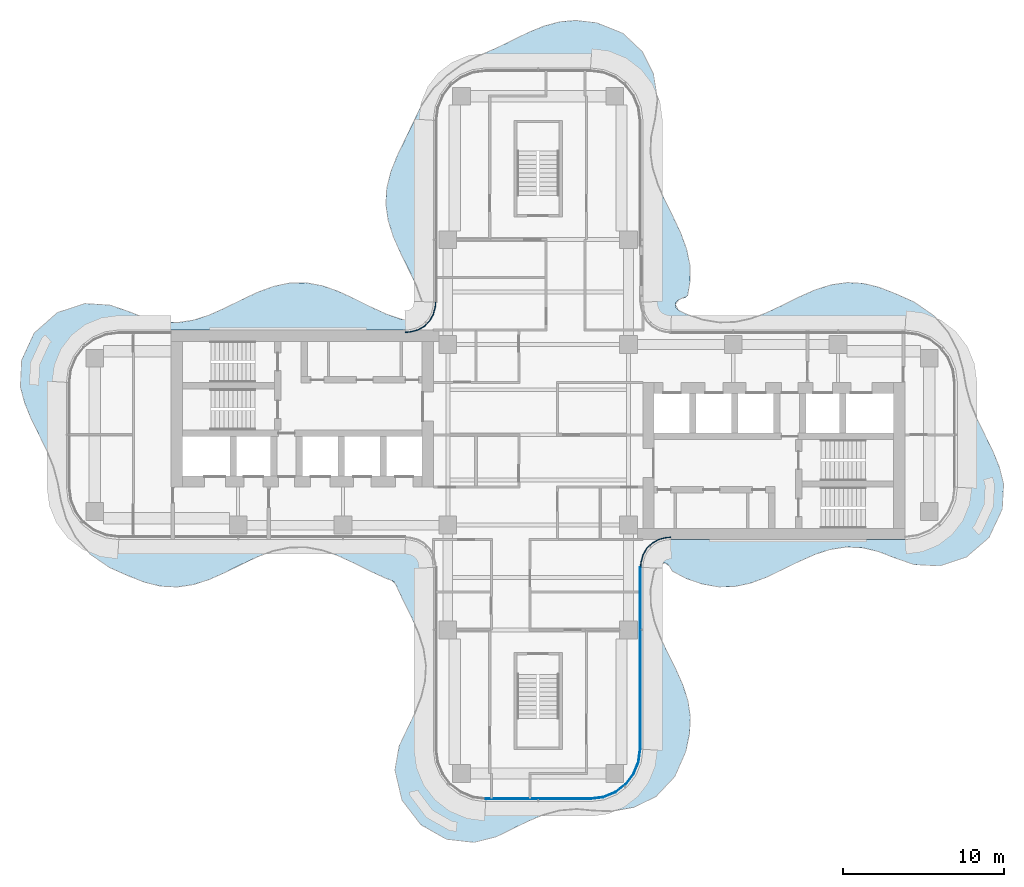
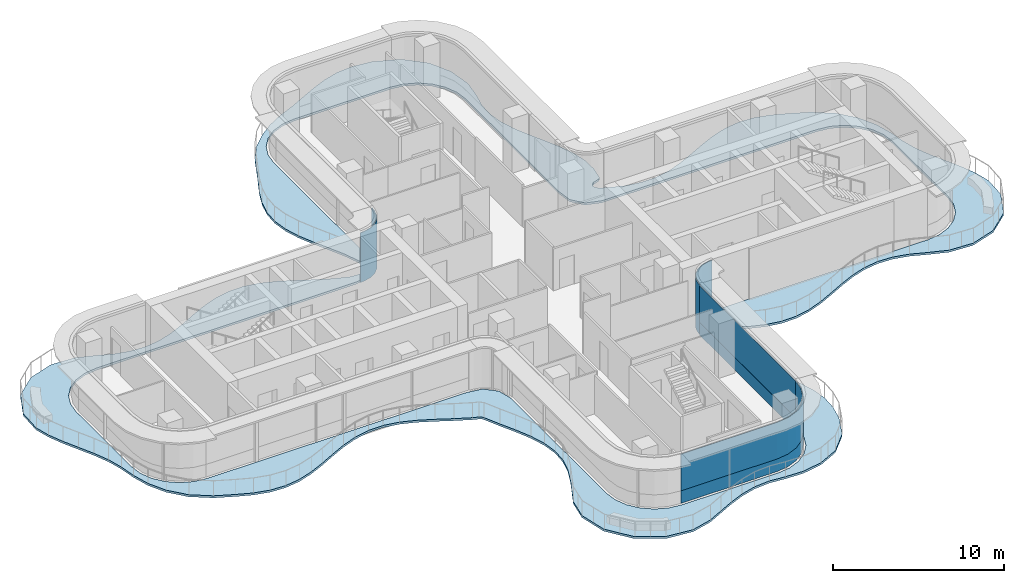
# One storey, part 9 of 17: 6 plates, 1 slab, 4 elements without a shape of their own.
"""IFC4 building model written with IfcOpenShell, lengths in metres."""

from ifc_helpers import new_model, si_unit, direction, frame, origin, place, context, subcontext, project, spatial, polyline, outline, extrude, source, transform, mapped, material, layer, layer_set, type_object, element, aggregate, save


model = new_model("IFC4")

# Units and contexts
model_context = context("Model", 3, precision=1e-05, world=origin(), true_north=direction((0.0, 1.0)))
body_context = subcontext(model_context, "Body", "Model", "MODEL_VIEW")
ifc_project = project(units=[si_unit("LENGTHUNIT", "METRE"), si_unit("AREAUNIT", "SQUARE_METRE"), si_unit("VOLUMEUNIT", "CUBIC_METRE"), si_unit("PLANEANGLEUNIT", "RADIAN"), si_unit("MASSUNIT", "GRAM", prefix="KILO")], contexts=[model_context])

# Site, building, storey
site_placement = place(None, origin())
site = spatial("IfcSite", under=ifc_project, at=site_placement, CompositionType="ELEMENT")
building_placement = place(site_placement, origin())
building = spatial("IfcBuilding", under=site, at=building_placement, Name="Trellis Farm Tower", CompositionType="ELEMENT")
storey_placement = place(building_placement, frame((0.0, 0.0, 259.699951171875)))
storey = spatial("IfcBuildingStorey", under=building, at=storey_placement, Name="L58", CompositionType="ELEMENT", Elevation=259.699951171875)

# Slab
ifc_material_1 = material(Name="Concrete C40/50", Category="concrete")
ifc_layer_1 = layer(ifc_material_1, 0.14990234375)
ifc_layer_set_1 = layer_set([ifc_layer_1], Name="Balcony slab 150")
slab_type = type_object("IfcSlabType", Name="Balcony slab 150", PredefinedType="FLOOR", material=ifc_layer_set_1)
slab_placement = place(storey_placement, frame((0.0, 0.0, -0.14990234375)))
element("IfcSlab", 1, at=slab_placement, inside=storey, type_object=slab_type, Name="Balcony slab", PredefinedType="FLOOR", context=body_context, shape_type="SweptSolid", body=[
    extrude(outline(polyline([(-29.275390625, -5.194580078125), (-29.590087890625, -4.09033203125), (-29.593505859375, -4.075439453125), (-29.786865234375, -2.982177734375), (-29.788330078125, -2.9755859375), (-30.058837890625, -1.9765625), (-30.06201171875, -1.967529296875), (-30.466064453125, -0.988525390625), (-30.468017578125, -0.984130859375), (-31.43798828125, 0.997314453125), (-31.44189453125, 1.006103515625), (-31.84033203125, 1.972900390625), (-31.8466796875, 1.99169921875), (-32.103759765625, 2.9658203125), (-32.1083984375, 3.0107421875), (-32.039306640625, 4.552734375), (-32.03515625, 4.581787109375), (-32.0263671875, 4.61767578125), (-32.016845703125, 4.644775390625), (-31.247314453125, 6.309326171875), (-31.231201171875, 6.336669921875), (-31.20654296875, 6.369384765625), (-31.184814453125, 6.392578125), (-29.83544921875, 7.560302734375), (-29.811279296875, 7.577392578125), (-29.77783203125, 7.59619140625), (-29.750732421875, 7.6083984375), (-28.170654296875, 8.126220703125), (-28.1435546875, 8.13232421875), (-28.10791015625, 8.13720703125), (-28.079345703125, 8.13818359375), (-26.574462890625, 8.047607421875), (-26.5341796875, 8.039794921875), (-25.37841796875, 7.63818359375), (-25.373291015625, 7.636474609375), (-24.357666015625, 7.24169921875), (-24.34765625, 7.238525390625), (-23.35400390625, 7.006103515625), (-23.34033203125, 7.004150390625), (-22.3564453125, 6.961669921875), (-22.341796875, 6.96240234375), (-21.365234375, 7.11181640625), (-21.353759765625, 7.114501953125), (-20.412109375, 7.418212890625), (-20.40478515625, 7.421142578125), (-19.402587890625, 7.865966796875), (-19.3994140625, 7.867431640625), (-18.3974609375, 8.36669921875), (-18.39453125, 8.3681640625), (-17.400146484375, 8.8369140625), (-17.387939453125, 8.841796875), (-16.402587890625, 9.205078125), (-16.381103515625, 9.211181640625), (-15.40576171875, 9.413330078125), (-15.377197265625, 9.41650390625), (-14.40966796875, 9.429443359375), (-14.380859375, 9.427001953125), (-13.4140625, 9.251220703125), (-13.3916015625, 9.245361328125), (-12.418212890625, 8.90625), (-12.40478515625, 8.90087890625), (-11.42236328125, 8.44873046875), (-11.41796875, 8.446533203125), (-10.42236328125, 7.94921875), (-10.419921875, 7.947998046875), (-9.41748046875, 7.488525390625), (-9.410888671875, 7.48583984375), (-8.489501953125, 7.16357421875), (-8.47998046875, 7.160888671875), (-8.398193359375, 7.14404296875), (-8.38818359375, 7.142822265625), (-7.813720703125, 7.103271484375), (-7.798095703125, 7.103759765625), (-7.6767578125, 7.12109375), (-7.647705078125, 7.1318359375), (-7.544189453125, 7.197021484375), (-7.53173828125, 7.206787109375), (-7.278564453125, 7.453857421875), (-7.2685546875, 7.466064453125), (-7.20068359375, 7.568115234375), (-7.189208984375, 7.5966796875), (-7.1689453125, 7.7177734375), (-7.16796875, 7.7333984375), (-7.190673828125, 8.23974609375), (-7.19189453125, 8.251708984375), (-7.2119140625, 8.348388671875), (-7.21533203125, 8.35986328125), (-7.56787109375, 9.285888671875), (-7.570068359375, 9.291259765625), (-8.03466796875, 10.275390625), (-8.035400390625, 10.27685546875), (-8.5302734375, 11.26953125), (-8.533203125, 11.275390625), (-8.974365234375, 12.26708984375), (-8.97998046875, 12.2822265625), (-9.29443359375, 13.264404296875), (-9.300048828125, 13.28857421875), (-9.440673828125, 14.260986328125), (-9.442138671875, 14.290283203125), (-9.390869140625, 15.2568359375), (-9.38671875, 15.2841796875), (-9.152587890625, 16.25244140625), (-9.146484375, 16.272216796875), (-8.762939453125, 17.248291015625), (-8.75830078125, 17.2587890625), (-7.79150390625, 19.248779296875), (-7.791015625, 19.249755859375), (-7.257568359375, 20.3876953125), (-7.244873046875, 20.409912109375), (-6.524169921875, 21.444580078125), (-6.50537109375, 21.466796875), (-5.69140625, 22.25390625), (-5.676025390625, 22.2666015625), (-4.769287109375, 22.934326171875), (-4.7509765625, 22.94580078125), (-3.718017578125, 23.49658203125), (-3.7060546875, 23.502197265625), (-2.61474609375, 23.96533203125), (-2.611083984375, 23.967041015625), (-0.637939453125, 24.933349609375), (-0.629150390625, 24.937255859375), (0.3486328125, 25.340576171875), (0.36669921875, 25.3466796875), (1.336181640625, 25.60888671875), (1.3623046875, 25.613525390625), (2.32861328125, 25.696533203125), (2.358642578125, 25.6962890625), (3.609619140625, 25.552490234375), (3.647705078125, 25.542724609375), (5.208251953125, 24.9228515625), (5.233642578125, 24.909912109375), (5.264892578125, 24.889892578125), (5.287353515625, 24.87255859375), (6.447021484375, 23.773681640625), (6.464599609375, 23.75390625), (6.485107421875, 23.725830078125), (6.4990234375, 23.703125), (7.145751953125, 22.386962890625), (7.1591796875, 22.344482421875), (7.401611328125, 20.8408203125), (7.402099609375, 20.798095703125), (7.24560546875, 19.5654296875), (7.2431640625, 19.552001953125), (7.006103515625, 18.480712890625), (7.00439453125, 18.468017578125), (6.961669921875, 17.481201171875), (6.96240234375, 17.467041015625), (7.0986328125, 16.546630859375), (7.101318359375, 16.534912109375), (7.431640625, 15.502197265625), (7.434814453125, 15.49462890625), (7.87255859375, 14.513916015625), (7.873779296875, 14.510986328125), (8.36669921875, 13.5224609375), (8.3681640625, 13.51953125), (8.8369140625, 12.525146484375), (8.841796875, 12.512939453125), (9.205078125, 11.527587890625), (9.211181640625, 11.506103515625), (9.413330078125, 10.530517578125), (9.41650390625, 10.502685546875), (9.43212890625, 9.568359375), (9.4296875, 9.539794921875), (9.269775390625, 8.63134765625), (9.16748046875, 8.514404296875), (8.73681640625, 8.377197265625), (8.7138671875, 8.365234375), (8.584228515625, 8.26513671875), (8.559814453125, 8.2314453125), (8.50830078125, 8.085205078125), (8.50634765625, 8.04345703125), (8.54296875, 7.892578125), (8.563720703125, 7.856689453125), (8.684326171875, 7.742431640625), (8.701904296875, 7.730224609375), (9.143310546875, 7.505615234375), (9.152587890625, 7.501708984375), (10.186767578125, 7.1435546875), (10.198486328125, 7.140380859375), (11.18896484375, 6.96923828125), (11.203369140625, 6.96826171875), (12.18408203125, 6.99072265625), (12.197998046875, 6.992431640625), (13.173828125, 7.201416015625), (13.18408203125, 7.20458984375), (14.134033203125, 7.556640625), (14.139892578125, 7.55908203125), (15.1435546875, 8.031494140625), (15.14501953125, 8.0322265625), (16.14453125, 8.5302734375), (16.150390625, 8.533203125), (17.14208984375, 8.974365234375), (17.1572265625, 8.97998046875), (18.139404296875, 9.29443359375), (18.16357421875, 9.300048828125), (19.135986328125, 9.440673828125), (19.165283203125, 9.442138671875), (20.1318359375, 9.390869140625), (20.158935546875, 9.386962890625), (21.1044921875, 9.159912109375), (21.1240234375, 9.15380859375), (22.123046875, 8.763427734375), (22.129150390625, 8.7607421875), (23.32080078125, 8.232421875), (23.345458984375, 8.218505859375), (24.561279296875, 7.376708984375), (24.590576171875, 7.349853515625), (25.43701171875, 6.344482421875), (25.455810546875, 6.31591796875), (26.0146484375, 5.2216796875), (26.025390625, 5.194580078125), (26.340087890625, 4.09033203125), (26.343505859375, 4.075439453125), (26.536865234375, 2.982177734375), (26.538330078125, 2.9755859375), (26.808837890625, 1.9765625), (26.81201171875, 1.967529296875), (27.216064453125, 0.988525390625), (27.218017578125, 0.984130859375), (28.183349609375, -0.987060546875), (28.187255859375, -0.995849609375), (28.590087890625, -1.97216796875), (28.5966796875, -1.9921875), (28.859375, -3.0185546875), (28.864013671875, -3.063232421875), (28.789306640625, -4.552978515625), (28.78515625, -4.58154296875), (28.7763671875, -4.61767578125), (28.766845703125, -4.644775390625), (27.997314453125, -6.309326171875), (27.981201171875, -6.336669921875), (27.95654296875, -6.369384765625), (27.934814453125, -6.392578125), (26.58544921875, -7.560302734375), (26.561279296875, -7.577392578125), (26.52783203125, -7.59619140625), (26.500732421875, -7.6083984375), (24.920654296875, -8.126220703125), (24.8935546875, -8.13232421875), (24.85791015625, -8.13720703125), (24.829345703125, -8.13818359375), (23.324462890625, -8.047607421875), (23.2841796875, -8.039794921875), (22.12841796875, -7.63818359375), (22.123291015625, -7.636474609375), (21.107666015625, -7.24169921875), (21.09765625, -7.238525390625), (20.10400390625, -7.006103515625), (20.09033203125, -7.004150390625), (19.1064453125, -6.961669921875), (19.091796875, -6.96240234375), (18.115234375, -7.11181640625), (18.103759765625, -7.114501953125), (17.162109375, -7.418212890625), (17.15478515625, -7.421142578125), (16.152587890625, -7.865966796875), (16.1494140625, -7.867431640625), (15.1474609375, -8.36669921875), (15.14453125, -8.3681640625), (14.163818359375, -8.8310546875), (14.152099609375, -8.8359375), (13.17724609375, -9.197998046875), (13.15625, -9.2041015625), (12.188720703125, -9.40966796875), (12.160400390625, -9.412841796875), (11.193603515625, -9.431884765625), (11.16455078125, -9.4296875), (10.190673828125, -9.258056640625), (10.167724609375, -9.252197265625), (9.192138671875, -8.915283203125), (9.17138671875, -8.906494140625), (8.366943359375, -8.485107421875), (8.32958984375, -8.45751953125), (8.28955078125, -8.416748046875), (8.262451171875, -8.37890625), (8.151611328125, -8.15869140625), (8.1416015625, -8.143798828125), (8.049560546875, -8.03662109375), (8.0205078125, -8.015869140625), (7.88916015625, -7.96435546875), (7.87158203125, -7.959716796875), (7.77880859375, -7.947509765625), (7.7578125, -7.94775390625), (7.5966796875, -7.972412109375), (7.5595703125, -7.989501953125), (7.4365234375, -8.096435546875), (7.4228515625, -8.1123046875), (7.1884765625, -8.475341796875), (7.181640625, -8.488525390625), (7.13671875, -8.602294921875), (7.1328125, -8.6171875), (6.96923828125, -9.56396484375), (6.96826171875, -9.578369140625), (6.99072265625, -10.55908203125), (6.992431640625, -10.572998046875), (7.201416015625, -11.548828125), (7.20458984375, -11.55908203125), (7.556640625, -12.509033203125), (7.55908203125, -12.514892578125), (8.031494140625, -13.5185546875), (8.0322265625, -13.52001953125), (8.5302734375, -14.51953125), (8.533203125, -14.525390625), (8.974365234375, -15.51708984375), (8.97998046875, -15.531982421875), (9.2880859375, -16.486572265625), (9.293701171875, -16.51025390625), (9.43896484375, -17.4765625), (9.4404296875, -17.506103515625), (9.3916015625, -18.50634765625), (9.388671875, -18.52978515625), (9.155517578125, -19.642578125), (9.146240234375, -19.671875), (8.498291015625, -21.155029296875), (8.47021484375, -21.19775390625), (7.330810546875, -22.412109375), (7.310302734375, -22.430419921875), (7.282958984375, -22.450439453125), (7.259521484375, -22.464599609375), (5.97509765625, -23.088134765625), (5.936767578125, -23.1005859375), (4.637939453125, -23.340087890625), (4.605224609375, -23.342529296875), (3.416015625, -23.30029296875), (3.4072265625, -23.2998046875), (2.398193359375, -23.204345703125), (2.385009765625, -23.2041015625), (1.340576171875, -23.291015625), (1.3271484375, -23.29345703125), (0.3515625, -23.558837890625), (0.3427734375, -23.561767578125), (-0.615966796875, -23.956787109375), (-0.620361328125, -23.958740234375), (-2.591552734375, -24.92333984375), (-2.6201171875, -24.933837890625), (-3.909912109375, -25.26708984375), (-3.93701171875, -25.271484375), (-3.9716796875, -25.27392578125), (-3.998779296875, -25.2734375), (-5.614013671875, -25.095703125), (-5.643798828125, -25.08935546875), (-5.68115234375, -25.077392578125), (-5.708984375, -25.065185546875), (-7.26708984375, -24.182861328125), (-7.292236328125, -24.1650390625), (-7.322021484375, -24.138916015625), (-7.343017578125, -24.1162109375), (-8.44140625, -22.652587890625), (-8.457763671875, -22.62548828125), (-8.474853515625, -22.588134765625), (-8.485107421875, -22.55810546875), (-8.8740234375, -20.81591796875), (-8.877685546875, -20.786376953125), (-8.87841796875, -20.74755859375), (-8.8759765625, -20.7177734375), (-8.617919921875, -19.302490234375), (-8.60546875, -19.264404296875), (-7.643310546875, -17.261962890625), (-7.64111328125, -17.257080078125), (-7.256103515625, -16.278564453125), (-7.253173828125, -16.268798828125), (-7.015380859375, -15.293212890625), (-7.01318359375, -15.27978515625), (-6.95849609375, -14.30029296875), (-6.958984375, -14.28564453125), (-7.0986328125, -13.296875), (-7.1015625, -13.28466796875), (-7.418212890625, -12.287353515625), (-7.421142578125, -12.27978515625), (-7.872314453125, -11.263916015625), (-7.873779296875, -11.260986328125), (-8.36669921875, -10.272705078125), (-8.3681640625, -10.269287109375), (-8.849609375, -9.243896484375), (-8.85546875, -9.23388671875), (-8.92529296875, -9.13037109375), (-8.94775390625, -9.10888671875), (-9.052001953125, -9.044189453125), (-9.066162109375, -9.03759765625), (-9.4306640625, -8.906494140625), (-9.442626953125, -8.901611328125), (-10.42138671875, -8.451171875), (-10.42578125, -8.44921875), (-11.4267578125, -7.94921875), (-11.428955078125, -7.947998046875), (-12.431884765625, -7.488525390625), (-12.4384765625, -7.48583984375), (-13.38427734375, -7.1572265625), (-13.395263671875, -7.154296875), (-14.371337890625, -6.974853515625), (-14.385498046875, -6.973388671875), (-15.36767578125, -6.9833984375), (-15.382080078125, -6.985107421875), (-16.423583984375, -7.201416015625), (-16.434326171875, -7.20458984375), (-17.411865234375, -7.568359375), (-17.417724609375, -7.57080078125), (-18.400390625, -8.03466796875), (-18.40185546875, -8.035400390625), (-19.39453125, -8.5302734375), (-19.400390625, -8.533203125), (-20.39208984375, -8.974365234375), (-20.4072265625, -8.97998046875), (-21.389404296875, -9.29443359375), (-21.41357421875, -9.300048828125), (-22.385986328125, -9.440673828125), (-22.415283203125, -9.442138671875), (-23.3818359375, -9.390869140625), (-23.4091796875, -9.38671875), (-24.37744140625, -9.152587890625), (-24.39697265625, -9.146484375), (-25.373046875, -8.763427734375), (-25.379150390625, -8.760986328125), (-26.5712890625, -8.232421875), (-26.59521484375, -8.21875), (-27.77685546875, -7.40771484375), (-27.80615234375, -7.381103515625), (-28.686767578125, -6.344482421875), (-28.7060546875, -6.315673828125), (-29.2646484375, -5.2216796875), (-29.275390625, -5.194580078125)]), holes=[polyline([(-8.453125, 6.50048828125), (-26.0, 6.50048828125), (-26.84130859375, 6.389892578125), (-27.625244140625, 6.065185546875), (-28.298583984375, 5.548583984375), (-28.815185546875, 4.875244140625), (-29.139892578125, 4.09130859375), (-29.25048828125, 3.25), (-29.25048828125, -3.25), (-29.139892578125, -4.09130859375), (-28.815185546875, -4.875244140625), (-28.298583984375, -5.548583984375), (-27.625244140625, -6.065185546875), (-26.84130859375, -6.389892578125), (-26.0, -6.50048828125), (-8.453125, -6.50048828125), (-8.435791015625, -6.501953125), (-7.531982421875, -6.652587890625), (-7.490478515625, -6.665771484375), (-7.4423828125, -6.689453125), (-7.40673828125, -6.7138671875), (-6.794921875, -7.27783203125), (-6.767578125, -7.311279296875), (-6.740234375, -7.357421875), (-6.723388671875, -7.398193359375), (-6.50439453125, -8.28369140625), (-6.50048828125, -8.31494140625), (-6.50048828125, -19.5), (-6.389892578125, -20.34130859375), (-6.065185546875, -21.125244140625), (-5.548583984375, -21.798583984375), (-4.875244140625, -22.315185546875), (-4.09130859375, -22.639892578125), (-3.25, -22.75048828125), (3.25, -22.75048828125), (4.09130859375, -22.639892578125), (4.875244140625, -22.315185546875), (5.548583984375, -21.798583984375), (6.065185546875, -21.125244140625), (6.389892578125, -20.34130859375), (6.50048828125, -19.5), (6.50048828125, -14.017822265625), (6.50146484375, -8.5390625), (6.50244140625, -8.5205078125), (6.61474609375, -7.626708984375), (6.62548828125, -7.5869140625), (6.6455078125, -7.539306640625), (6.66650390625, -7.50390625), (7.1875, -6.853515625), (7.22021484375, -6.8232421875), (7.265380859375, -6.79248046875), (7.306640625, -6.772705078125), (8.177734375, -6.510009765625), (8.220947265625, -6.503662109375), (19.881591796875, -6.50048828125), (22.75, -6.50048828125), (23.59130859375, -6.389892578125), (24.375244140625, -6.065185546875), (25.048583984375, -5.548583984375), (25.565185546875, -4.875244140625), (25.889892578125, -4.09130859375), (26.00048828125, -3.25), (26.00048828125, 3.25), (25.889892578125, 4.09130859375), (25.565185546875, 4.875244140625), (25.048583984375, 5.548583984375), (24.375244140625, 6.065185546875), (23.59130859375, 6.389892578125), (22.75, 6.50048828125), (19.881591796875, 6.50048828125), (8.220947265625, 6.503662109375), (8.177734375, 6.510009765625), (7.306640625, 6.772705078125), (7.265380859375, 6.79248046875), (7.22021484375, 6.8232421875), (7.1875, 6.853515625), (6.66650390625, 7.50390625), (6.6455078125, 7.539306640625), (6.62548828125, 7.5869140625), (6.61474609375, 7.626708984375), (6.50244140625, 8.5205078125), (6.50146484375, 8.5390625), (6.50048828125, 14.017822265625), (6.50048828125, 19.5), (6.389892578125, 20.34130859375), (6.065185546875, 21.125244140625), (5.548583984375, 21.798583984375), (4.875244140625, 22.315185546875), (4.09130859375, 22.639892578125), (3.25, 22.75048828125), (-3.25, 22.75048828125), (-4.09130859375, 22.639892578125), (-4.875244140625, 22.315185546875), (-5.548583984375, 21.798583984375), (-6.065185546875, 21.125244140625), (-6.389892578125, 20.34130859375), (-6.50048828125, 19.5), (-6.50048828125, 8.31494140625), (-6.50439453125, 8.28369140625), (-6.723388671875, 7.398193359375), (-6.740234375, 7.357421875), (-6.767578125, 7.311279296875), (-6.794921875, 7.27783203125), (-7.40673828125, 6.7138671875), (-7.4423828125, 6.689453125), (-7.490478515625, 6.665771484375), (-7.531982421875, 6.652587890625), (-8.435791015625, 6.501953125), (-8.453125, 6.50048828125)])]), origin(), (0.0, 0.0, 1.0), 0.14990234375),
])

# Curtain wall, plate
ifc_material_2 = material(Name="Aluminium and glass curtain wall", Category="aluminium")
ifc_layer_2 = layer(ifc_material_2, 0.166015625)
ifc_layer_set_2 = layer_set([ifc_layer_2], Name="WINTER GARDEN CURTAIN WALL CW3")
curtain_wall_type_1 = type_object("IfcCurtainWallType", Name="WINTER GARDEN CURTAIN WALL CW3", PredefinedType="NOTDEFINED", material=ifc_layer_set_2)
placement_1 = place(storey_placement, origin())
curtain_wall_1 = element("IfcCurtainWall", 2, at=placement_1, inside=storey, type_object=curtain_wall_type_1, Name="CW3 002", PredefinedType="NOTDEFINED")
ifc_material_3 = material(Name="Clear insulated glass", Category="glass")
ifc_layer_3 = layer(ifc_material_3, 0.0458984375)
ifc_layer_set_3 = layer_set([ifc_layer_3], Name="CW3 GLASS PANEL 46")
plate_type_1 = type_object("IfcPlateType", Name="CW3 GLASS PANEL 46", PredefinedType="CURTAIN_PANEL", material=ifc_layer_set_3)
shared_shape_1 = source(origin(), body_context, "Body", "SweptSolid", [
    extrude(outline(polyline([(6.3798828125, -8.2275390625), (6.394287109375, -8.0078125), (6.40966796875, -7.89208984375), (6.52490234375, -7.462158203125), (6.7509765625, -7.070556640625), (7.070556640625, -6.7509765625), (7.462158203125, -6.52490234375), (7.89208984375, -6.40966796875), (8.0078125, -6.394287109375), (8.2275390625, -6.3798828125), (8.22607421875, -6.333984375), (8.003173828125, -6.3486328125), (7.883056640625, -6.364501953125), (7.4443359375, -6.48193359375), (7.04248046875, -6.714111328125), (6.714111328125, -7.04248046875), (6.48193359375, -7.4443359375), (6.364501953125, -7.883056640625), (6.3486328125, -8.003173828125), (6.333984375, -8.22607421875), (6.3798828125, -8.2275390625)])), origin(), (0.0, 0.0, 1.0), 3.550048828125),
])
plate_1 = element("IfcPlate", 3, at=placement_1, type_object=plate_type_1, Name="PL3 002", PredefinedType="CURTAIN_PANEL", context=body_context, shape_type="MappedRepresentation", body=[
    mapped(shared_shape_1, transform((0.0, 0.0, 0.0))),
])
aggregate(curtain_wall_1, [plate_1])

curtain_wall_2 = element("IfcCurtainWall", 4, at=placement_1, inside=storey, type_object=curtain_wall_type_1, Name="CW3 004", PredefinedType="NOTDEFINED")
shared_shape_2 = source(origin(), body_context, "Body", "SweptSolid", [
    extrude(outline(polyline([(-6.3798828125, 8.2275390625), (-6.394287109375, 8.0078125), (-6.40966796875, 7.89208984375), (-6.52490234375, 7.462158203125), (-6.7509765625, 7.070556640625), (-7.070556640625, 6.7509765625), (-7.462158203125, 6.52490234375), (-7.89208984375, 6.40966796875), (-8.0078125, 6.394287109375), (-8.2275390625, 6.3798828125), (-8.22607421875, 6.333984375), (-8.003173828125, 6.3486328125), (-7.883056640625, 6.364501953125), (-7.4443359375, 6.48193359375), (-7.04248046875, 6.714111328125), (-6.714111328125, 7.04248046875), (-6.48193359375, 7.4443359375), (-6.364501953125, 7.883056640625), (-6.3486328125, 8.003173828125), (-6.333984375, 8.22607421875), (-6.3798828125, 8.2275390625)])), origin(), (0.0, 0.0, 1.0), 3.550048828125),
])
plate_2 = element("IfcPlate", 5, at=placement_1, type_object=plate_type_1, Name="PL3 004", PredefinedType="CURTAIN_PANEL", context=body_context, shape_type="MappedRepresentation", body=[
    mapped(shared_shape_2, transform((0.0, 0.0, 0.0))),
])
aggregate(curtain_wall_2, [plate_2])

# Curtain wall, plates
ifc_layer_4 = layer(ifc_material_2, 0.18994140625)
ifc_layer_set_4 = layer_set([ifc_layer_4], Name="RIBBON CURTAIN WALL CW1")
curtain_wall_type_2 = type_object("IfcCurtainWallType", Name="RIBBON CURTAIN WALL CW1", PredefinedType="NOTDEFINED", material=ifc_layer_set_4)
curtain_wall_3 = element("IfcCurtainWall", 6, at=placement_1, inside=storey, type_object=curtain_wall_type_2, Name="CW1 003", PredefinedType="NOTDEFINED")
ifc_layer_5 = layer(ifc_material_3, 0.0400390625)
ifc_layer_set_5 = layer_set([ifc_layer_5], Name="CW1 GLASS PANEL 40")
plate_type_2 = type_object("IfcPlateType", Name="CW1 GLASS PANEL 40", PredefinedType="CURTAIN_PANEL", material=ifc_layer_set_5)
shared_shape_3 = source(origin(), body_context, "Body", "SweptSolid", [
    extrude(outline(polyline([(-3.240234375, -22.60009765625), (3.240234375, -22.60009765625), (4.052001953125, -22.4931640625), (4.79931640625, -22.18359375), (5.441162109375, -21.691162109375), (5.93359375, -21.04931640625), (6.2431640625, -20.302001953125), (6.35009765625, -19.490234375), (6.31005859375, -19.487548828125), (6.2041015625, -20.29150390625), (5.898681640625, -21.029296875), (5.41259765625, -21.66259765625), (4.779296875, -22.148681640625), (4.04150390625, -22.4541015625), (3.237548828125, -22.56005859375), (-3.237548828125, -22.56005859375), (-3.240234375, -22.60009765625)])), origin(), (0.0, 0.0, 1.0), 2.619873046875),
])
placement_2 = place(storey_placement, frame((0.0, 0.0, 0.900146484375)))
plate_3 = element("IfcPlate", 7, at=placement_2, type_object=plate_type_2, Name="PL1 003", PredefinedType="CURTAIN_PANEL", context=body_context, shape_type="MappedRepresentation", body=[
    mapped(shared_shape_3, transform((0.0, 0.0, 0.0))),
])
ifc_material_4 = material(Name="Sandstone faced insulated panel", Category="masonry")
ifc_layer_6 = layer(ifc_material_4, 0.050048828125)
ifc_layer_set_6 = layer_set([ifc_layer_6], Name="CW1 STONE SPANDREL PANEL 50")
plate_type_3 = type_object("IfcPlateType", Name="CW1 STONE SPANDREL PANEL 50", PredefinedType="CURTAIN_PANEL", material=ifc_layer_set_6)
shared_shape_4 = source(origin(), body_context, "Body", "SweptSolid", [
    extrude(outline(polyline([(-3.240234375, -22.60009765625), (3.240234375, -22.60009765625), (4.052001953125, -22.4931640625), (4.79931640625, -22.18359375), (5.441162109375, -21.691162109375), (5.93359375, -21.04931640625), (6.2431640625, -20.302001953125), (6.35009765625, -19.490234375), (6.300048828125, -19.48681640625), (6.1943359375, -20.2890625), (5.889892578125, -21.024169921875), (5.405517578125, -21.655517578125), (4.774169921875, -22.139892578125), (4.0390625, -22.4443359375), (3.23681640625, -22.550048828125), (-3.23681640625, -22.550048828125), (-3.240234375, -22.60009765625)])), origin(), (0.0, 0.0, 1.0), 0.900146484375),
])
plate_4 = element("IfcPlate", 8, at=placement_1, type_object=plate_type_3, Name="PS1 003", PredefinedType="CURTAIN_PANEL", context=body_context, shape_type="MappedRepresentation", body=[
    mapped(shared_shape_4, transform((0.0, 0.0, 0.0))),
])
aggregate(curtain_wall_3, [plate_3, plate_4])

curtain_wall_4 = element("IfcCurtainWall", 9, at=placement_1, inside=storey, type_object=curtain_wall_type_2, Name="CW1 004", PredefinedType="NOTDEFINED")
shared_shape_5 = source(origin(), body_context, "Body", "SweptSolid", [
    extrude(outline(polyline([(6.35009765625, -19.490234375), (6.35009765625, -8.2265625), (6.31005859375, -8.22509765625), (6.31005859375, -19.487548828125), (6.35009765625, -19.490234375)])), origin(), (0.0, 0.0, 1.0), 2.619873046875),
])
plate_5 = element("IfcPlate", 10, at=placement_2, type_object=plate_type_2, Name="PL1 004", PredefinedType="CURTAIN_PANEL", context=body_context, shape_type="MappedRepresentation", body=[
    mapped(shared_shape_5, transform((0.0, 0.0, 0.0))),
])
shared_shape_6 = source(origin(), body_context, "Body", "SweptSolid", [
    extrude(outline(polyline([(6.35009765625, -19.490234375), (6.35009765625, -8.2265625), (6.300048828125, -8.224853515625), (6.300048828125, -19.48681640625), (6.35009765625, -19.490234375)])), origin(), (0.0, 0.0, 1.0), 0.900146484375),
])
plate_6 = element("IfcPlate", 11, at=placement_1, type_object=plate_type_3, Name="PS1 004", PredefinedType="CURTAIN_PANEL", context=body_context, shape_type="MappedRepresentation", body=[
    mapped(shared_shape_6, transform((0.0, 0.0, 0.0))),
])
aggregate(curtain_wall_4, [plate_5, plate_6])

save(model, "model.ifc")
